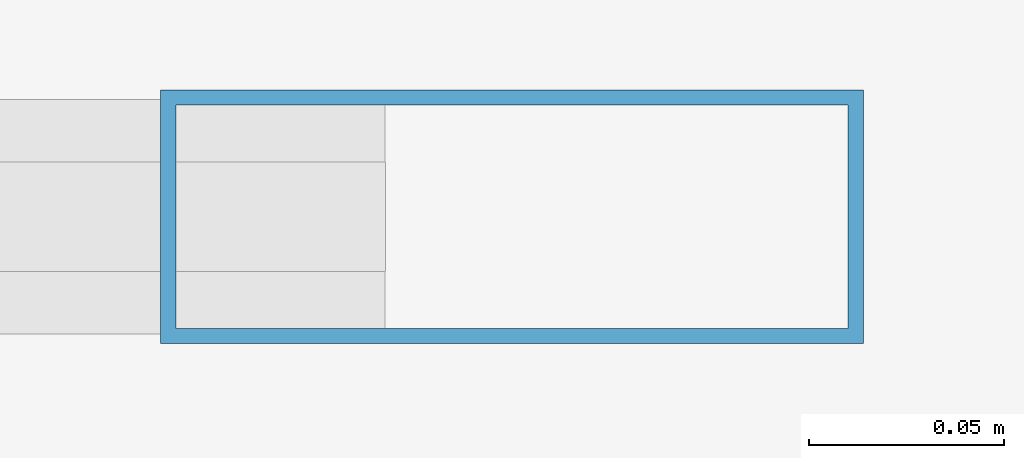
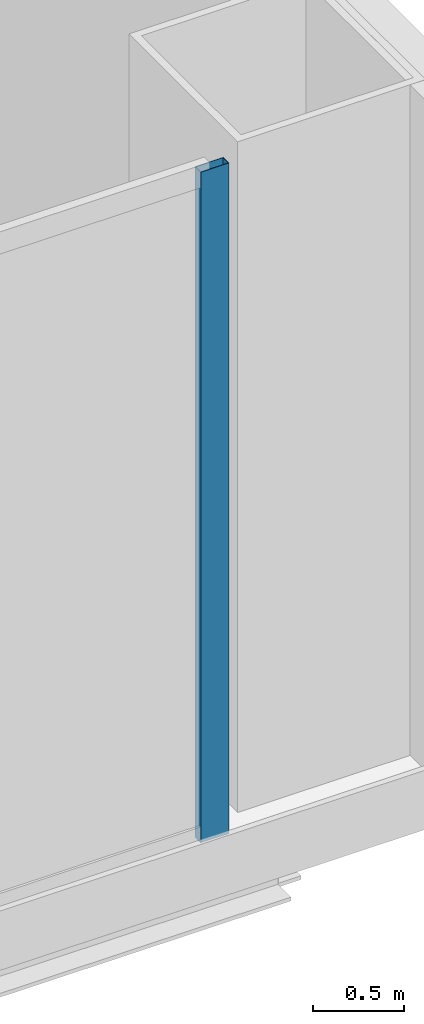
# One storey, part 16 of 42: 1 member, 1 element without a shape of its own.
"""IFC4 building model written with IfcOpenShell, lengths in metres."""

from ifc_helpers import new_model, si_unit, direction, frame, origin, origin_2d, place, context, subcontext, project, spatial, hollow_rectangle, extrude, source, transform, mapped, material, layer, layer_set, material_profile, profile_set, type_object, element, aggregate, save


model = new_model("IFC4")

# Units and contexts
model_context = context("Model", 3, precision=1e-05, world=origin(), true_north=direction((0.0, 1.0)))
body_context = subcontext(model_context, "Body", "Model", "MODEL_VIEW")
ifc_project = project(units=[si_unit("LENGTHUNIT", "METRE"), si_unit("AREAUNIT", "SQUARE_METRE"), si_unit("VOLUMEUNIT", "CUBIC_METRE"), si_unit("PLANEANGLEUNIT", "RADIAN"), si_unit("MASSUNIT", "GRAM", prefix="KILO"), si_unit("THERMODYNAMICTEMPERATUREUNIT", "KELVIN"), si_unit("POWERUNIT", "WATT")], contexts=[model_context])

# Site, building, storey
site_placement = place(None, origin())
site = spatial("IfcSite", under=ifc_project, at=site_placement, CompositionType="ELEMENT")
building_placement = place(site_placement, origin())
building = spatial("IfcBuilding", under=site, at=building_placement, Name="Yunzhuo Pagoda Commons", CompositionType="ELEMENT")
storey_placement = place(building_placement, frame((0.0, 0.0, 4.800048828125)))
storey = spatial("IfcBuildingStorey", under=building, at=storey_placement, Name="L02", CompositionType="ELEMENT", Elevation=4.800048828125)

# Curtain wall, member
ifc_material = material(Name="Anodized aluminium 6063-T6", Category="aluminium")
ifc_layer = layer(ifc_material, 0.179931640625)
ifc_layer_set = layer_set([ifc_layer], Name="Anodized aluminium 6063-T6")
curtain_wall_type = type_object("IfcCurtainWallType", Name="CW-POD Waterfront Podium Curtain Wall", PredefinedType="NOTDEFINED", material=ifc_layer_set)
curtain_wall_placement = place(storey_placement, origin())
curtain_wall = element("IfcCurtainWall", 1, at=curtain_wall_placement, inside=storey, type_object=curtain_wall_type, Name="L02 curtain wall CW-L02-S5", PredefinedType="NOTDEFINED")
ifc_material_profile = material_profile(ifc_material, hollow_rectangle(XDim=0.06494140625, YDim=0.179931640625, WallThickness=0.00390625, at=origin_2d()), Name="Anodized aluminium 6063-T6")
ifc_profile_set = profile_set([ifc_material_profile], Name="Anodized aluminium 6063-T6")
member_type = type_object("IfcMemberType", Name="CW-POD-M Mullion RHS 180x65x4", PredefinedType="MULLION", material=ifc_profile_set)
shared_shape = source(origin(), body_context, "Body", "SweptSolid", [
    extrude(hollow_rectangle(XDim=0.06494140625, YDim=0.179931640625, WallThickness=0.00390625, at=origin_2d()), origin(), (0.0, 0.0, 1.0), 4.52001953125),
])
member_placement = place(storey_placement, frame((90.367431640625, 6.080078125, 0.0), z_axis=(0.0, 0.0, 1.0), x_axis=(0.0, 1.0, 0.0)))
member = element("IfcMember", 2, at=member_placement, type_object=member_type, Name="CW mullion 3", PredefinedType="MULLION", context=body_context, shape_type="MappedRepresentation", body=[
    mapped(shared_shape, transform((0.0, 0.0, 0.0), scale=1.0)),
])
aggregate(curtain_wall, [member])

save(model, "model.ifc")
